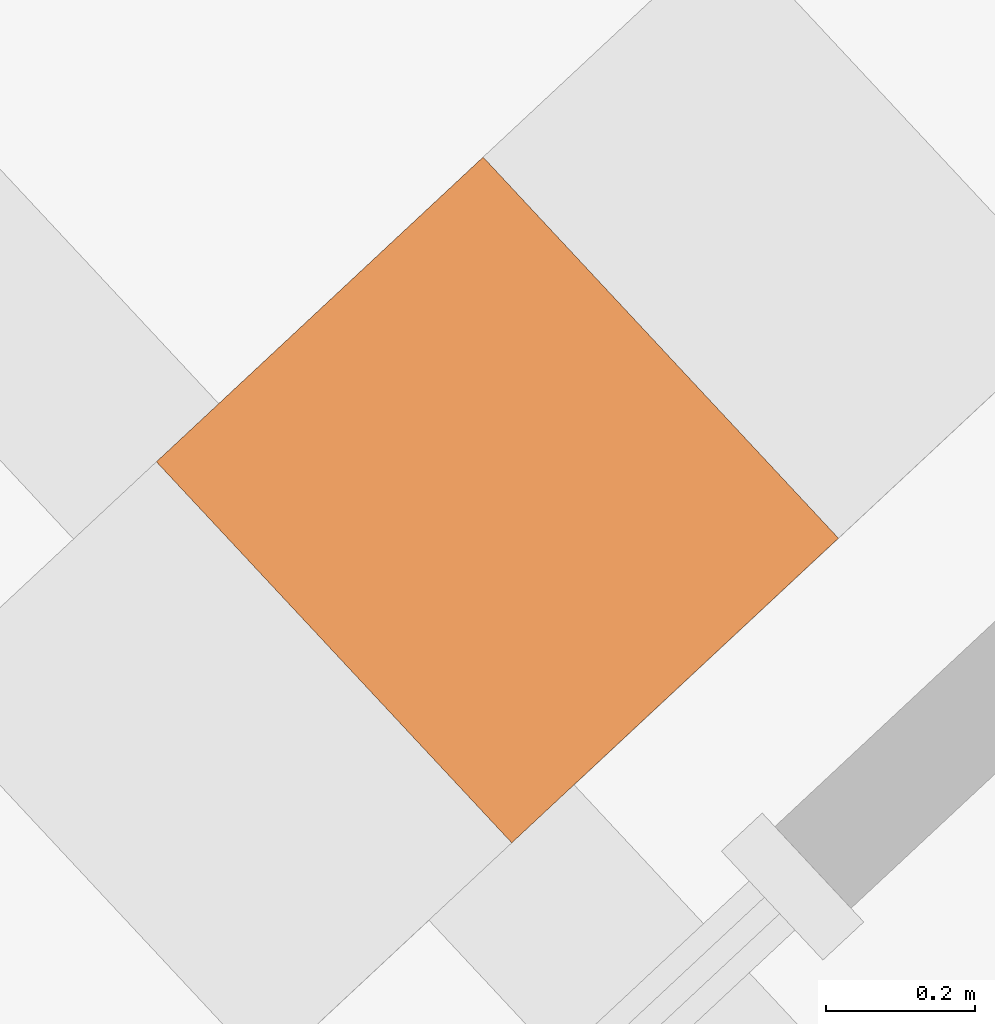
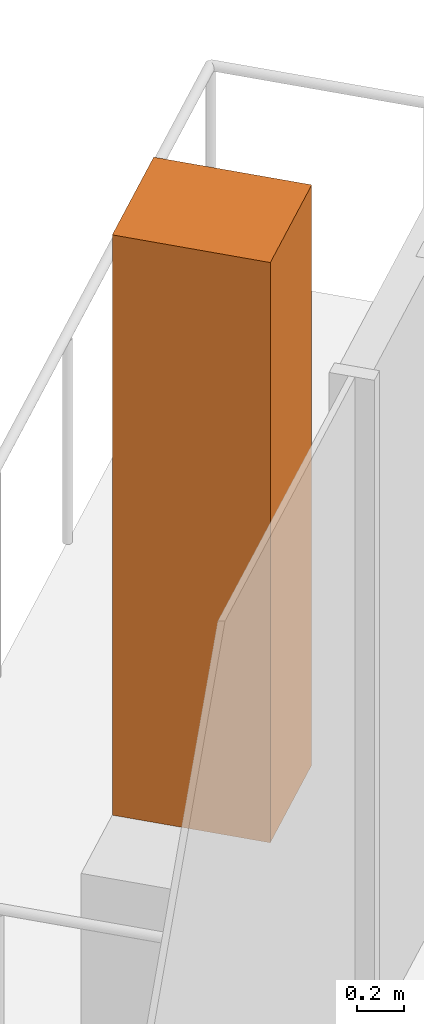
# One storey, part 18 of 18: 1 geographic element.
"""IFC4 building model written with IfcOpenShell, lengths in metres."""

from ifc_helpers import new_model, si_unit, direction, frame, origin, origin_2d, place, context, subcontext, project, spatial, rectangle, extrude, source, transform, mapped, material, type_object, element, save


model = new_model("IFC4")

# Units and contexts
model_context = context("Model", 3, precision=1e-05, world=origin(), true_north=direction((0.0, 1.0)))
body_context = subcontext(model_context, "Body", "Model", "MODEL_VIEW")
ifc_project = project(units=[si_unit("LENGTHUNIT", "METRE"), si_unit("AREAUNIT", "SQUARE_METRE"), si_unit("VOLUMEUNIT", "CUBIC_METRE"), si_unit("PLANEANGLEUNIT", "RADIAN"), si_unit("MASSUNIT", "GRAM", prefix="KILO")], contexts=[model_context])

# Site, building, storey
site_placement = place(None, origin())
site = spatial("IfcSite", under=ifc_project, at=site_placement, CompositionType="ELEMENT")
building_placement = place(site_placement, origin())
building = spatial("IfcBuilding", under=site, at=building_placement, Name="Triune Harvest Tower", CompositionType="ELEMENT")
storey_placement = place(building_placement, frame((0.0, 0.0, 101.89990234375)))
storey = spatial("IfcBuildingStorey", under=building, at=storey_placement, Name="L25", CompositionType="ELEMENT", Elevation=101.89990234375)

# Geographic element
ifc_material = material(Name="TREE-1 tree")
geographic_element_type = type_object("IfcGeographicElementType", Name="TREE-1 tree", PredefinedType="USERDEFINED", material=ifc_material)
shared_shape = source(origin(), body_context, "Body", "SweptSolid", [
    extrude(rectangle(XDim=0.60009765625, YDim=0.699951171875, at=origin_2d()), origin(), (0.0, 0.0, 1.0), 3.0),
])
geographic_element_placement = place(storey_placement, frame((-9.07666015625, 22.5390625, 1.10009765625), z_axis=(0.0, 0.0, 1.0), x_axis=(-0.73135336394, -0.681998722179, 0.0)))
element("IfcGeographicElement", 1, at=geographic_element_placement, inside=storey, type_object=geographic_element_type, Name="Tree B3-F3 L25.4b", ObjectType="TREE", PredefinedType="USERDEFINED", context=body_context, shape_type="MappedRepresentation", body=[
    mapped(shared_shape, transform((0.0, 0.0, 0.0), scale=1.0)),
])

save(model, "model.ifc")
